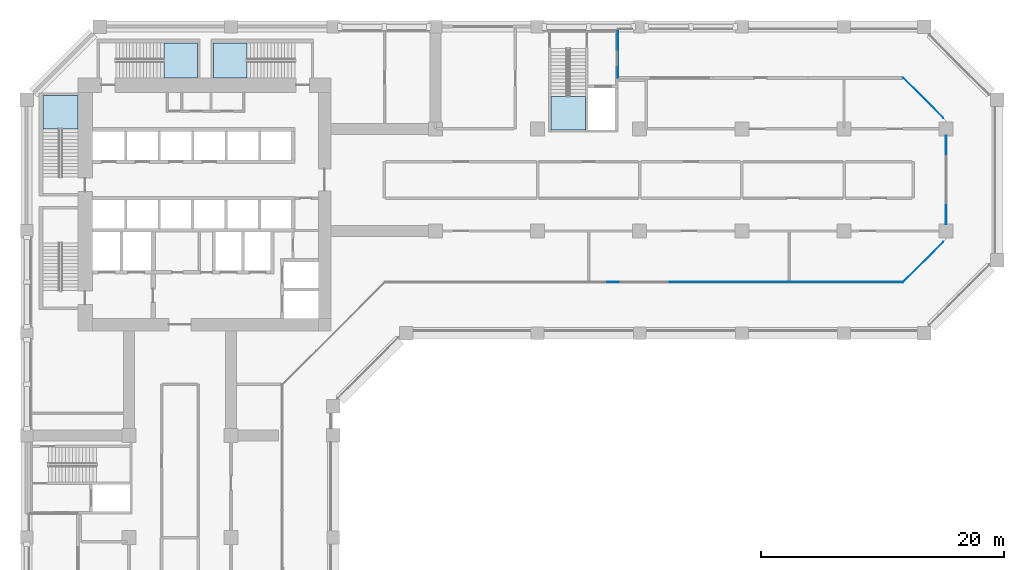
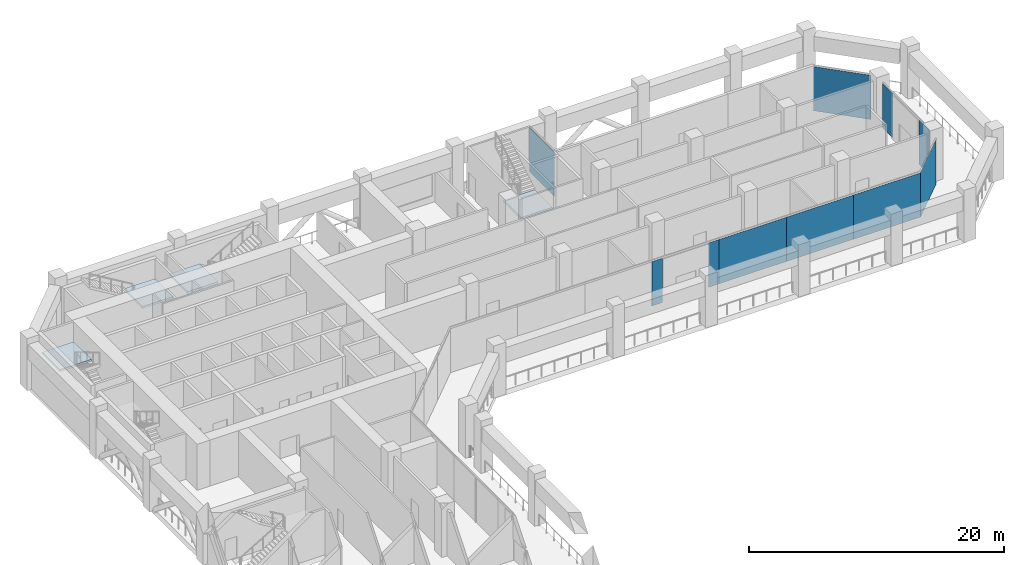
# One storey, part 5 of 19: 10 plates, 4 slabs, 9 elements without a shape of their own.
"""IFC4 building model written with IfcOpenShell, lengths in metres."""

from ifc_helpers import new_model, si_unit, direction, frame, origin, origin_2d, place, context, subcontext, project, spatial, polyline, rectangle, outline, extrude, material, layer, layer_set, type_object, element, aggregate, save


model = new_model("IFC4")

# Units and contexts
model_context = context("Model", 3, precision=1e-05, world=origin(), true_north=direction((0.0, 1.0)))
body_context = subcontext(model_context, "Body", "Model", "MODEL_VIEW")
ifc_project = project(units=[si_unit("LENGTHUNIT", "METRE"), si_unit("AREAUNIT", "SQUARE_METRE"), si_unit("VOLUMEUNIT", "CUBIC_METRE"), si_unit("PLANEANGLEUNIT", "RADIAN"), si_unit("MASSUNIT", "GRAM", prefix="KILO")], contexts=[model_context])

# Site, building, storey
site_placement = place(None, origin())
site = spatial("IfcSite", under=ifc_project, at=site_placement, CompositionType="ELEMENT")
building_placement = place(site_placement, origin())
building = spatial("IfcBuilding", under=site, at=building_placement, Name="Kawkab Arch Medical Tower", CompositionType="ELEMENT")
storey_placement = place(building_placement, frame((0.0, 0.0, 93.800048828125)))
storey = spatial("IfcBuildingStorey", under=building, at=storey_placement, Name="L21", CompositionType="ELEMENT", Elevation=93.800048828125)

# Curtain wall, plates
ifc_material_1 = material(Name="Bronze anodised aluminium curtain wall frame", Category="aluminium")
ifc_layer_1 = layer(ifc_material_1, 0.159912109375)
ifc_layer_set_1 = layer_set([ifc_layer_1], Name="Bronze anodised aluminium curtain wall frame")
curtain_wall_type = type_object("IfcCurtainWallType", Name="CW4 refuge floor fire-protected glazing", PredefinedType="NOTDEFINED", material=ifc_layer_set_1)
placement_1 = place(storey_placement, origin())
curtain_wall_1 = element("IfcCurtainWall", 1, at=placement_1, inside=storey, type_object=curtain_wall_type, Name="CW4 Refuge floor fire-protected glazing R11", PredefinedType="NOTDEFINED")
ifc_material_2 = material(Name="Fire-resisting laminated glass", Category="glass")
ifc_layer_2 = layer(ifc_material_2, 0.0400390625)
ifc_layer_set_2 = layer_set([ifc_layer_2], Name="Fire-resisting laminated glass")
plate_type = type_object("IfcPlateType", Name="CW4 glazing unit 40", PredefinedType="CURTAIN_PANEL", material=ifc_layer_set_2)
plate_1_placement = place(storey_placement, frame((48.1884765625, -21.0, 0.0), z_axis=(0.0, 0.0, 1.0), x_axis=(1.0, 0.0, 0.0)))
plate_1 = element("IfcPlate", 2, at=plate_1_placement, type_object=plate_type, Name="CW4 glazing unit 4.1", PredefinedType="CURTAIN_PANEL", context=body_context, shape_type="SweptSolid", body=[
    extrude(rectangle(XDim=0.94287109375, YDim=0.0400390625, at=origin_2d()), origin(), (0.0, 0.0, 1.0), 4.239990234375),
])
plate_2_placement = place(storey_placement, frame((53.33154296875, -21.0, 0.0), z_axis=(0.0, 0.0, 1.0), x_axis=(1.0, 0.0, 0.0)))
plate_2 = element("IfcPlate", 3, at=plate_2_placement, type_object=plate_type, Name="CW4 glazing unit 4.3", PredefinedType="CURTAIN_PANEL", context=body_context, shape_type="SweptSolid", body=[
    extrude(rectangle(XDim=0.94287109375, YDim=0.0400390625, at=origin_2d()), origin(), (0.0, 0.0, 1.0), 4.239990234375),
])
plate_3_placement = place(storey_placement, frame((56.845703125, -21.0, 0.0), z_axis=(0.0, 0.0, 1.0), x_axis=(1.0, 0.0, 0.0)))
plate_3 = element("IfcPlate", 4, at=plate_3_placement, type_object=plate_type, Name="CW4 glazing unit 5.1", PredefinedType="CURTAIN_PANEL", context=body_context, shape_type="SweptSolid", body=[
    extrude(rectangle(XDim=6.085693359375, YDim=0.0400390625, at=origin_2d()), origin(), (0.0, 0.0, 1.0), 4.239990234375),
])
plate_4_placement = place(storey_placement, frame((62.931396484375, -21.0, 0.0), z_axis=(0.0, 0.0, 1.0), x_axis=(1.0, 0.0, 0.0)))
plate_4 = element("IfcPlate", 5, at=plate_4_placement, type_object=plate_type, Name="CW4 glazing unit 6.1", PredefinedType="CURTAIN_PANEL", context=body_context, shape_type="SweptSolid", body=[
    extrude(rectangle(XDim=6.085693359375, YDim=0.0400390625, at=origin_2d()), origin(), (0.0, 0.0, 1.0), 4.239990234375),
])
plate_5_placement = place(storey_placement, frame((69.01708984375, -21.0, 0.0), z_axis=(0.0, 0.0, 1.0), x_axis=(1.0, 0.0, 0.0)))
plate_5 = element("IfcPlate", 6, at=plate_5_placement, type_object=plate_type, Name="CW4 glazing unit 7.1", PredefinedType="CURTAIN_PANEL", context=body_context, shape_type="SweptSolid", body=[
    extrude(rectangle(XDim=6.085693359375, YDim=0.0400390625, at=origin_2d()), origin(), (0.0, 0.0, 1.0), 4.239990234375),
])
aggregate(curtain_wall_1, [plate_1, plate_2, plate_3, plate_4, plate_5])

# Curtain wall, plate
curtain_wall_2 = element("IfcCurtainWall", 7, at=placement_1, inside=storey, type_object=curtain_wall_type, Name="CW4 Refuge floor fire-protected glazing R12", PredefinedType="NOTDEFINED")
plate_6_placement = place(storey_placement, frame((73.70751953125, -19.3525390625, 0.0), z_axis=(0.0, 0.0, 1.0), x_axis=(0.707106781187, 0.707106781187, 0.0)))
plate_6 = element("IfcPlate", 8, at=plate_6_placement, type_object=plate_type, Name="CW4 glazing unit 1.1", PredefinedType="CURTAIN_PANEL", context=body_context, shape_type="SweptSolid", body=[
    extrude(rectangle(XDim=4.659912109375, YDim=0.0400390625, at=origin_2d()), origin(), (0.0, 0.0, 1.0), 4.239990234375),
])
aggregate(curtain_wall_2, [plate_6])

# Curtain wall, plates
curtain_wall_3 = element("IfcCurtainWall", 9, at=placement_1, inside=storey, type_object=curtain_wall_type, Name="CW4 Refuge floor fire-protected glazing R13", PredefinedType="NOTDEFINED")
plate_7_placement = place(storey_placement, frame((75.60009765625, -15.46240234375, 0.0), z_axis=(0.0, 0.0, 1.0), x_axis=(0.0, 1.0, 0.0)))
plate_7 = element("IfcPlate", 10, at=plate_7_placement, type_object=plate_type, Name="CW4 glazing unit 1.1", PredefinedType="CURTAIN_PANEL", context=body_context, shape_type="SweptSolid", body=[
    extrude(rectangle(XDim=1.52490234375, YDim=0.0400390625, at=origin_2d()), origin(), (0.0, 0.0, 1.0), 4.239990234375),
])
plate_8_placement = place(storey_placement, frame((75.60009765625, -9.737548828125, 0.0), z_axis=(0.0, 0.0, 1.0), x_axis=(0.0, 1.0, 0.0)))
plate_8 = element("IfcPlate", 11, at=plate_8_placement, type_object=plate_type, Name="CW4 glazing unit 1.3", PredefinedType="CURTAIN_PANEL", context=body_context, shape_type="SweptSolid", body=[
    extrude(rectangle(XDim=1.52490234375, YDim=0.0400390625, at=origin_2d()), origin(), (0.0, 0.0, 1.0), 4.239990234375),
])
aggregate(curtain_wall_3, [plate_7, plate_8])

# Curtain wall, plate
curtain_wall_4 = element("IfcCurtainWall", 12, at=placement_1, inside=storey, type_object=curtain_wall_type, Name="CW4 Refuge floor fire-protected glazing R14", PredefinedType="NOTDEFINED")
plate_9_placement = place(storey_placement, frame((73.70751953125, -5.847412109375, 0.0), z_axis=(0.0, 0.0, 1.0), x_axis=(-0.707106781187, 0.707106781187, 0.0)))
plate_9 = element("IfcPlate", 13, at=plate_9_placement, type_object=plate_type, Name="CW4 glazing unit 1.1", PredefinedType="CURTAIN_PANEL", context=body_context, shape_type="SweptSolid", body=[
    extrude(rectangle(XDim=4.659912109375, YDim=0.0400390625, at=origin_2d()), origin(), (0.0, 0.0, 1.0), 4.239990234375),
])
aggregate(curtain_wall_4, [plate_9])

curtain_wall_5 = element("IfcCurtainWall", 14, at=placement_1, inside=storey, type_object=curtain_wall_type, Name="CW4 Refuge floor fire-protected glazing R16", PredefinedType="NOTDEFINED")
plate_10_placement = place(storey_placement, frame((48.60107421875, -2.25, 0.0), z_axis=(0.0, 0.0, 1.0), x_axis=(0.0, 1.0, 0.0)))
plate_10 = element("IfcPlate", 15, at=plate_10_placement, type_object=plate_type, Name="CW4 glazing unit 1.1", PredefinedType="CURTAIN_PANEL", context=body_context, shape_type="SweptSolid", body=[
    extrude(rectangle(XDim=3.89990234375, YDim=0.0400390625, at=origin_2d()), origin(), (0.0, 0.0, 1.0), 4.239990234375),
])
aggregate(curtain_wall_5, [plate_10])

# Stair, slab
ifc_material_3 = material(Name="Concrete C40/50", Category="concrete")
stair_type = type_object("IfcStairType", Name="Exit stair 1350", PredefinedType="HALF_TURN_STAIR", material=ifc_material_3)
stair_1 = element("IfcStair", 16, at=placement_1, inside=storey, type_object=stair_type, Name="L21 Exit stair ST1", PredefinedType="HALF_TURN_STAIR")
ifc_material_4 = material(Name="Concrete C40/50", Category="concrete")
ifc_layer_3 = layer(ifc_material_4, 0.199951171875)
ifc_layer_set_3 = layer_set([ifc_layer_3], Name="Concrete C40/50")
slab_type = type_object("IfcSlabType", Name="Exit stair landing 200", PredefinedType="LANDING", material=ifc_layer_set_3)
placement_2 = place(storey_placement, frame((0.0, 0.0, 2.300048828125)))
slab_1 = element("IfcSlab", 17, at=placement_2, type_object=slab_type, Name="ST1 landing 1", PredefinedType="LANDING", context=body_context, shape_type="SweptSolid", body=[
    extrude(outline(polyline([(4.199951171875, -8.429931640625), (4.199951171875, -5.64990234375), (1.35009765625, -5.64990234375), (1.35009765625, -8.429931640625), (4.199951171875, -8.429931640625)])), origin(), (0.0, 0.0, 1.0), 0.199951171875),
])
aggregate(stair_1, [slab_1])

stair_2 = element("IfcStair", 18, at=placement_1, inside=storey, type_object=stair_type, Name="L21 Exit stair ST3", PredefinedType="HALF_TURN_STAIR")
slab_2 = element("IfcSlab", 19, at=placement_2, type_object=slab_type, Name="ST3 landing 1", PredefinedType="LANDING", context=body_context, shape_type="SweptSolid", body=[
    extrude(outline(polyline([(11.27001953125, -4.199951171875), (14.050048828125, -4.199951171875), (14.050048828125, -1.35009765625), (11.27001953125, -1.35009765625), (11.27001953125, -4.199951171875)])), origin(), (0.0, 0.0, 1.0), 0.199951171875),
])
aggregate(stair_2, [slab_2])

stair_3 = element("IfcStair", 20, at=placement_1, inside=storey, type_object=stair_type, Name="L21 Exit stair ST4", PredefinedType="HALF_TURN_STAIR")
slab_3 = element("IfcSlab", 21, at=placement_2, type_object=slab_type, Name="ST4 landing 1", PredefinedType="LANDING", context=body_context, shape_type="SweptSolid", body=[
    extrude(outline(polyline([(18.1298828125, -1.35009765625), (15.35009765625, -1.35009765625), (15.35009765625, -4.199951171875), (18.1298828125, -4.199951171875), (18.1298828125, -1.35009765625)])), origin(), (0.0, 0.0, 1.0), 0.199951171875),
])
aggregate(stair_3, [slab_3])

stair_4 = element("IfcStair", 22, at=placement_1, inside=storey, type_object=stair_type, Name="L21 Exit stair ST5", PredefinedType="HALF_TURN_STAIR")
slab_4 = element("IfcSlab", 23, at=placement_2, type_object=slab_type, Name="ST5 landing 1", PredefinedType="LANDING", context=body_context, shape_type="SweptSolid", body=[
    extrude(outline(polyline([(43.10009765625, -5.719970703125), (43.10009765625, -8.5), (45.949951171875, -8.5), (45.949951171875, -5.719970703125), (43.10009765625, -5.719970703125)])), origin(), (0.0, 0.0, 1.0), 0.199951171875),
])
aggregate(stair_4, [slab_4])

save(model, "model.ifc")
